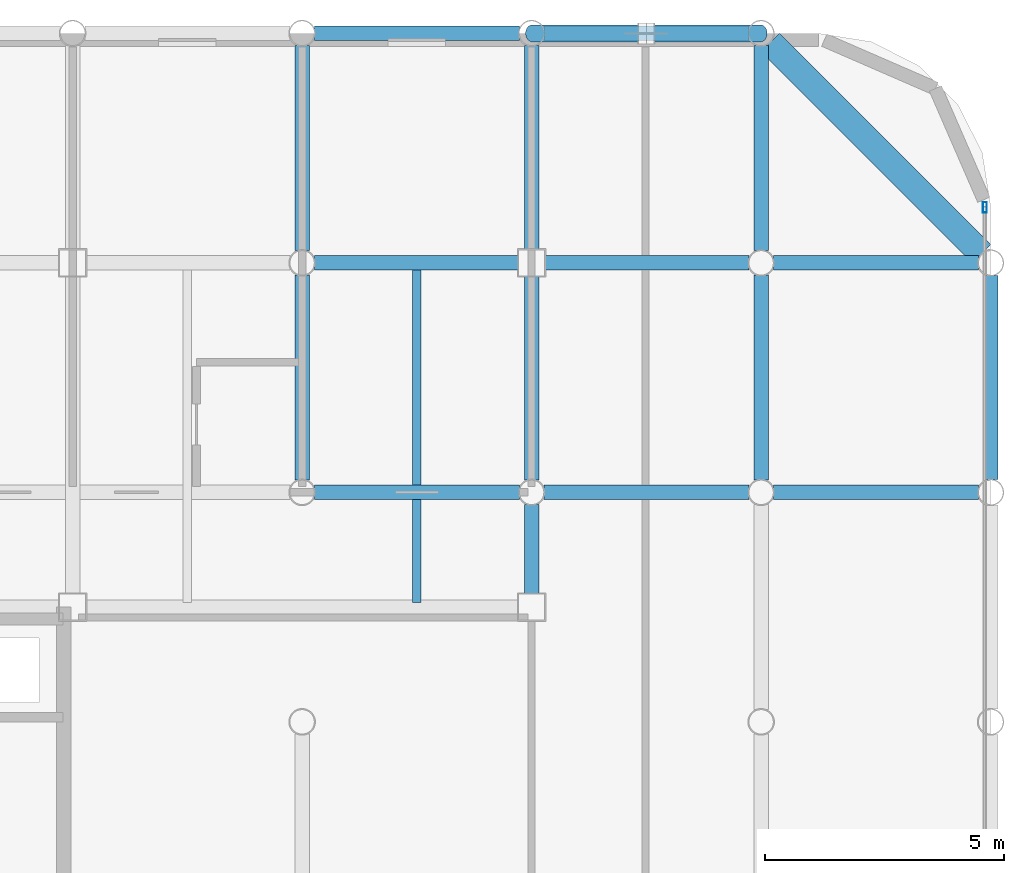
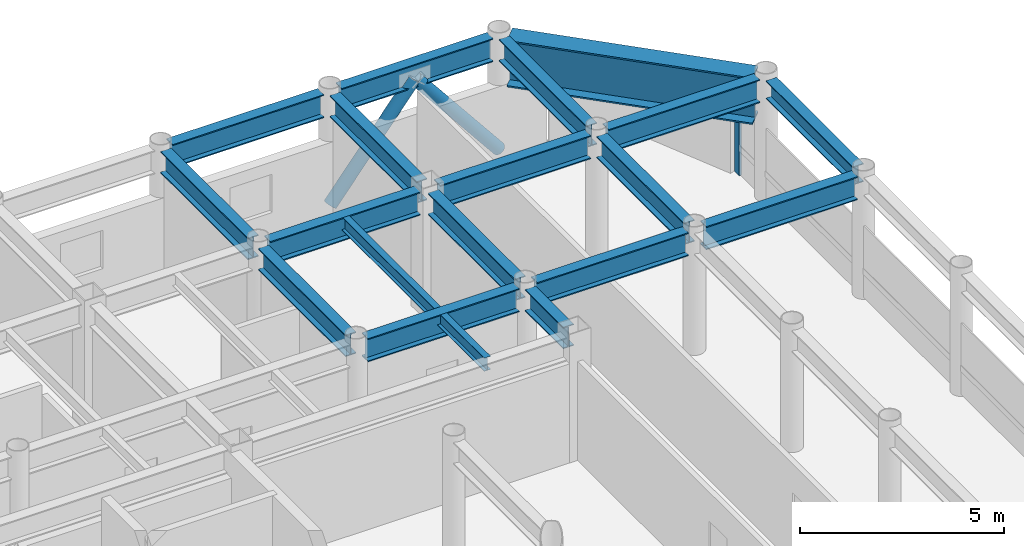
# One storey, part 15 of 22: 18 beams, 3 members, 1 element without a shape of its own.
"""IFC4 building model written with IfcOpenShell, lengths in metres."""

from ifc_helpers import new_model, si_unit, direction, frame, origin, origin_2d, place, context, subcontext, project, spatial, hollow_rectangle, hollow_circle, i_section, extrude, material, layer, layer_set, material_profile, profile_set, type_object, element, aggregate, save


model = new_model("IFC4")

# Units and contexts
model_context = context("Model", 3, precision=1e-05, world=origin(), true_north=direction((0.0, 1.0)))
body_context = subcontext(model_context, "Body", "Model", "MODEL_VIEW")
ifc_project = project(units=[si_unit("LENGTHUNIT", "METRE"), si_unit("AREAUNIT", "SQUARE_METRE"), si_unit("VOLUMEUNIT", "CUBIC_METRE"), si_unit("PLANEANGLEUNIT", "RADIAN"), si_unit("MASSUNIT", "GRAM", prefix="KILO")], contexts=[model_context])

# Site, building, storey
site_placement = place(None, origin())
site = spatial("IfcSite", under=ifc_project, at=site_placement, CompositionType="ELEMENT")
building_placement = place(site_placement, origin())
building = spatial("IfcBuilding", under=site, at=building_placement, Name="Kallvorn Hotel Tower", CompositionType="ELEMENT")
storey_placement = place(building_placement, frame((0.0, 0.0, 203.050048828125)))
storey = spatial("IfcBuildingStorey", under=building, at=storey_placement, Name="L50", CompositionType="ELEMENT", Elevation=203.050048828125)

# Beams
ifc_material_1 = material(Name="Structural steel S355JR", Category="steel")
ifc_material_profile_1 = material_profile(ifc_material_1, i_section(OverallWidth=0.300048828125, OverallDepth=0.550048828125, WebThickness=0.014892578125, FlangeThickness=0.029052734375, at=origin_2d()), Name="HE 550 B")
ifc_profile_set_1 = profile_set([ifc_material_profile_1], Name="Structural steel S355JR")
beam_type_1 = type_object("IfcBeamType", Name="BM_HE550B", PredefinedType="SPANDREL", material=ifc_profile_set_1)
beam_1_placement = place(storey_placement, frame((33.60009765625, 9.869384765625, 3.39501953125), z_axis=(0.0, 1.0, 0.0), x_axis=(-1.0, 0.0, 0.0)))
element("IfcBeam", 1, at=beam_1_placement, inside=storey, type_object=beam_type_1, Name="L51 Perimeter Spandrel 188", PredefinedType="SPANDREL", context=body_context, shape_type="SweptSolid", body=[
    extrude(i_section(OverallWidth=0.300048828125, OverallDepth=0.550048828125, WebThickness=0.014892578125, FlangeThickness=0.029052734375, at=origin_2d()), origin(), (0.0, 0.0, 1.0), 4.26123046875),
])
ifc_material_2 = material(Name="Structural steel S355JR", Category="steel")
ifc_material_profile_2 = material_profile(ifc_material_2, i_section(OverallWidth=0.300048828125, OverallDepth=0.64990234375, WebThickness=0.01611328125, FlangeThickness=0.031005859375, at=origin_2d()), Name="HE 650 B")
ifc_profile_set_2 = profile_set([ifc_material_profile_2], Name="Structural steel S355JR")
beam_type_2 = type_object("IfcBeamType", Name="BM_HE650B", PredefinedType="BEAM", material=ifc_profile_set_2)
for number, where, z_axis, x_axis, name in (
    (2, (19.199951171875, 9.8544921875, 3.344970703125), (0.0, 1.0, 0.0), (-1.0, 0.0, 0.0), "L51 Primary Y-Girder 133"),
    (3, (19.199951171875, 14.654541015625, 3.344970703125), (0.0, 1.0, 0.0), (-1.0, 0.0, 0.0), "L51 Primary Y-Girder 134"),
):
    element("IfcBeam", number, at=place(storey_placement, frame(where, z_axis=z_axis, x_axis=x_axis)), inside=storey, type_object=beam_type_2, Name=name, PredefinedType="BEAM", context=body_context, shape_type="SweptSolid", body=[
        extrude(i_section(OverallWidth=0.300048828125, OverallDepth=0.64990234375, WebThickness=0.01611328125, FlangeThickness=0.031005859375, at=origin_2d()), origin(), (0.0, 0.0, 1.0), 4.291015625),
    ])
beam_2_placement = place(storey_placement, frame((24.0, 7.47509765625, 3.344970703125), z_axis=(0.0, 1.0, 0.0), x_axis=(-1.0, 0.0, 0.0)))
element("IfcBeam", 4, at=beam_2_placement, inside=storey, type_object=beam_type_2, Name="L51 Primary Y-Girder 139", PredefinedType="BEAM", context=body_context, shape_type="SweptSolid", body=[
    extrude(i_section(OverallWidth=0.300048828125, OverallDepth=0.64990234375, WebThickness=0.01611328125, FlangeThickness=0.031005859375, at=origin_2d()), origin(), (0.0, 0.0, 1.0), 1.870361328125),
])
for number, where, z_axis, x_axis, name in (
    (5, (24.0, 9.8544921875, 3.344970703125), (0.0, 1.0, 0.0), (-1.0, 0.0, 0.0), "L51 Primary Y-Girder 140"),
    (6, (24.0, 14.675048828125, 3.344970703125), (0.0, 1.0, 0.0), (-1.0, 0.0, 0.0), "L51 Primary Y-Girder 141"),
):
    element("IfcBeam", number, at=place(storey_placement, frame(where, z_axis=z_axis, x_axis=x_axis)), inside=storey, type_object=beam_type_2, Name=name, PredefinedType="BEAM", context=body_context, shape_type="SweptSolid", body=[
        extrude(i_section(OverallWidth=0.300048828125, OverallDepth=0.64990234375, WebThickness=0.01611328125, FlangeThickness=0.031005859375, at=origin_2d()), origin(), (0.0, 0.0, 1.0), 4.2705078125),
    ])
for number, where, z_axis, x_axis, name in (
    (7, (28.800048828125, 9.8544921875, 3.344970703125), (0.0, 1.0, 0.0), (-1.0, 0.0, 0.0), "L51 Primary Y-Girder 149"),
    (8, (28.800048828125, 14.654541015625, 3.344970703125), (0.0, 1.0, 0.0), (-1.0, 0.0, 0.0), "L51 Primary Y-Girder 150"),
):
    element("IfcBeam", number, at=place(storey_placement, frame(where, z_axis=z_axis, x_axis=x_axis)), inside=storey, type_object=beam_type_2, Name=name, PredefinedType="BEAM", context=body_context, shape_type="SweptSolid", body=[
        extrude(i_section(OverallWidth=0.300048828125, OverallDepth=0.64990234375, WebThickness=0.01611328125, FlangeThickness=0.031005859375, at=origin_2d()), origin(), (0.0, 0.0, 1.0), 4.291015625),
    ])
ifc_material_3 = material(Name="Structural steel S355JR", Category="steel")
ifc_material_profile_3 = material_profile(ifc_material_3, i_section(OverallWidth=0.300048828125, OverallDepth=0.699951171875, WebThickness=0.01708984375, FlangeThickness=0.031982421875, at=origin_2d()), Name="HE 700 B")
ifc_profile_set_3 = profile_set([ifc_material_profile_3], Name="Structural steel S355JR")
beam_type_3 = type_object("IfcBeamType", Name="BM_HE700B", PredefinedType="BEAM", material=ifc_profile_set_3)
for number, where, z_axis, x_axis, name in (
    (9, (19.45458984375, 9.60009765625, 3.320068359375), (1.0, 0.0, 0.0), (0.0, 1.0, 0.0), "L51 Primary X-Girder 48"),
    (10, (24.25439453125, 9.60009765625, 3.320068359375), (1.0, 0.0, 0.0), (0.0, 1.0, 0.0), "L51 Primary X-Girder 49"),
    (11, (29.054443359375, 9.60009765625, 3.320068359375), (1.0, 0.0, 0.0), (0.0, 1.0, 0.0), "L51 Primary X-Girder 50"),
):
    element("IfcBeam", number, at=place(storey_placement, frame(where, z_axis=z_axis, x_axis=x_axis)), inside=storey, type_object=beam_type_3, Name=name, PredefinedType="BEAM", context=body_context, shape_type="SweptSolid", body=[
        extrude(i_section(OverallWidth=0.300048828125, OverallDepth=0.699951171875, WebThickness=0.01708984375, FlangeThickness=0.031982421875, at=origin_2d()), origin(), (0.0, 0.0, 1.0), 4.291015625),
    ])
for number, where, z_axis, x_axis, name in (
    (12, (19.45458984375, 14.39990234375, 3.320068359375), (1.0, 0.0, 0.0), (0.0, 1.0, 0.0), "L51 Primary X-Girder 58"),
    (13, (24.27490234375, 14.39990234375, 3.320068359375), (1.0, 0.0, 0.0), (0.0, 1.0, 0.0), "L51 Primary X-Girder 59"),
):
    element("IfcBeam", number, at=place(storey_placement, frame(where, z_axis=z_axis, x_axis=x_axis)), inside=storey, type_object=beam_type_3, Name=name, PredefinedType="BEAM", context=body_context, shape_type="SweptSolid", body=[
        extrude(i_section(OverallWidth=0.300048828125, OverallDepth=0.699951171875, WebThickness=0.01708984375, FlangeThickness=0.031982421875, at=origin_2d()), origin(), (0.0, 0.0, 1.0), 4.2705078125),
    ])
for number, where, z_axis, x_axis, name in (
    (14, (29.054443359375, 14.39990234375, 3.320068359375), (1.0, 0.0, 0.0), (0.0, 1.0, 0.0), "L51 Primary X-Girder 60"),
    (15, (19.45458984375, 19.199951171875, 3.320068359375), (1.0, 0.0, 0.0), (0.0, 1.0, 0.0), "L51 Primary X-Girder 71"),
    (16, (24.25439453125, 19.199951171875, 3.320068359375), (1.0, 0.0, 0.0), (0.0, 1.0, 0.0), "L51 Primary X-Girder 72"),
):
    element("IfcBeam", number, at=place(storey_placement, frame(where, z_axis=z_axis, x_axis=x_axis)), inside=storey, type_object=beam_type_3, Name=name, PredefinedType="BEAM", context=body_context, shape_type="SweptSolid", body=[
        extrude(i_section(OverallWidth=0.300048828125, OverallDepth=0.699951171875, WebThickness=0.01708984375, FlangeThickness=0.031982421875, at=origin_2d()), origin(), (0.0, 0.0, 1.0), 4.291015625),
    ])
ifc_material_4 = material(Name="Structural steel S355JR", Category="steel")
ifc_material_profile_4 = material_profile(ifc_material_4, i_section(OverallWidth=0.179931640625, OverallDepth=0.39990234375, WebThickness=0.008544921875, FlangeThickness=0.013427734375, at=origin_2d()), Name="IPE 400")
ifc_profile_set_4 = profile_set([ifc_material_profile_4], Name="Structural steel S355JR")
beam_type_4 = type_object("IfcBeamType", Name="BM_IPE400", PredefinedType="JOIST", material=ifc_profile_set_4)
beam_3_placement = place(storey_placement, frame((21.60009765625, 7.300048828125, 3.469970703125), z_axis=(0.0, 1.0, 0.0), x_axis=(-1.0, 0.0, 0.0)))
element("IfcBeam", 17, at=beam_3_placement, inside=storey, type_object=beam_type_4, Name="L51 Secondary Composite Joist 209", PredefinedType="JOIST", context=body_context, shape_type="SweptSolid", body=[
    extrude(i_section(OverallWidth=0.179931640625, OverallDepth=0.39990234375, WebThickness=0.008544921875, FlangeThickness=0.013427734375, at=origin_2d()), origin(), (0.0, 0.0, 1.0), 7.0),
])
ifc_material_5 = material(Name="Structural steel S355JR", Category="steel")
ifc_material_profile_5 = material_profile(ifc_material_5, i_section(OverallWidth=0.550048828125, OverallDepth=1.39990234375, WebThickness=0.02490234375, FlangeThickness=0.044921875, at=origin_2d()), Name="PG 1400x550x25x45")
ifc_profile_set_5 = profile_set([ifc_material_profile_5], Name="Structural steel S355JR")
beam_type_5 = type_object("IfcBeamType", Name="BM_PG_1400", PredefinedType="BEAM", material=ifc_profile_set_5)
beam_4_placement = place(storey_placement, frame((33.409423828125, 14.590576171875, 2.969970703125), z_axis=(-0.707106781187, 0.707106781187, 0.0), x_axis=(-0.707106781187, -0.707106781187, 0.0)))
element("IfcBeam", 18, at=beam_4_placement, inside=storey, type_object=beam_type_5, Name="L51 Rounded Corner Tie Beam 191", PredefinedType="BEAM", context=body_context, shape_type="SweptSolid", body=[
    extrude(i_section(OverallWidth=0.550048828125, OverallDepth=1.39990234375, WebThickness=0.02490234375, FlangeThickness=0.044921875, at=origin_2d()), origin(), (0.0, 0.0, 1.0), 6.249267578125),
])

# Curtain wall, member
ifc_material_6 = material(Name="Thermally broken black-anodised aluminium AA 6063-T6", Category="aluminium")
ifc_layer = layer(ifc_material_6, 0.22998046875)
ifc_layer_set = layer_set([ifc_layer], Name="CW_SYS_5_HOTEL_HIGH")
curtain_wall_type = type_object("IfcCurtainWallType", Name="CW_SYS_5_HOTEL_HIGH", PredefinedType="USERDEFINED", material=ifc_layer_set)
curtain_wall_placement = place(storey_placement, origin())
curtain_wall = element("IfcCurtainWall", 19, at=curtain_wall_placement, inside=storey, type_object=curtain_wall_type, Name="L50 Dark-Glass Curtain Wall CW-L50-EN", ObjectType="UNITISED CURTAIN WALL", PredefinedType="USERDEFINED")
ifc_material_7 = material(Name="Thermally broken black-anodised aluminium AA 6063-T6", Category="aluminium")
ifc_material_profile_6 = material_profile(ifc_material_7, hollow_rectangle(XDim=0.080078125, YDim=0.219970703125, WallThickness=0.0048828125, at=origin_2d()), Name="MUL 220x80")
ifc_profile_set_6 = profile_set([ifc_material_profile_6], Name="Thermally broken black-anodised aluminium AA 6063-T6")
member_type_1 = type_object("IfcMemberType", Name="CW_MULLION_220x80", PredefinedType="MULLION", material=ifc_profile_set_6)
member_placement = place(storey_placement, frame((33.47998046875, 15.56005859375, 0.02001953125), z_axis=(0.0, 0.0, 1.0), x_axis=(1.0, 0.0, 0.0)))
member = element("IfcMember", 20, at=member_placement, type_object=member_type_1, Name="CW-L50-EN Mullion 01", PredefinedType="MULLION", context=body_context, shape_type="SweptSolid", body=[
    extrude(hollow_rectangle(XDim=0.080078125, YDim=0.219970703125, WallThickness=0.0048828125, at=origin_2d()), origin(), (0.0, 0.0, 1.0), 2.22998046875),
])
aggregate(curtain_wall, [member])

# Members
ifc_material_8 = material(Name="Structural steel S355J2H", Category="steel")
ifc_material_profile_7 = material_profile(ifc_material_8, hollow_circle(Radius=0.177734375, WallThickness=0.01416015625, at=origin_2d()), Name="CHS 355.6x14.2")
ifc_profile_set_7 = profile_set([ifc_material_profile_7], Name="Structural steel S355J2H")
member_type_2 = type_object("IfcMemberType", Name="MBR_EXO_CHS355", PredefinedType="BRACE", material=ifc_profile_set_7)
for number, where, z_axis, x_axis, name in (
    (21, (24.012451171875, 19.199951171875, 0.195556640625), (0.627270878626, 0.0, 0.778801158722), (0.0, 1.0, 0.0), "L50 Exoskeleton K-Brace N2A"),
    (22, (28.78759765625, 19.199951171875, 0.195556640625), (-0.627270878626, 0.0, 0.778801158722), (0.0, -1.0, 0.0), "L50 Exoskeleton K-Brace N2B"),
):
    element("IfcMember", number, at=place(storey_placement, frame(where, z_axis=z_axis, x_axis=x_axis)), inside=storey, type_object=member_type_2, Name=name, PredefinedType="BRACE", context=body_context, shape_type="SweptSolid", body=[
        extrude(hollow_circle(Radius=0.177734375, WallThickness=0.01416015625, at=origin_2d()), origin(), (0.0, 0.0, 1.0), 3.7861328125),
    ])

save(model, "model.ifc")
